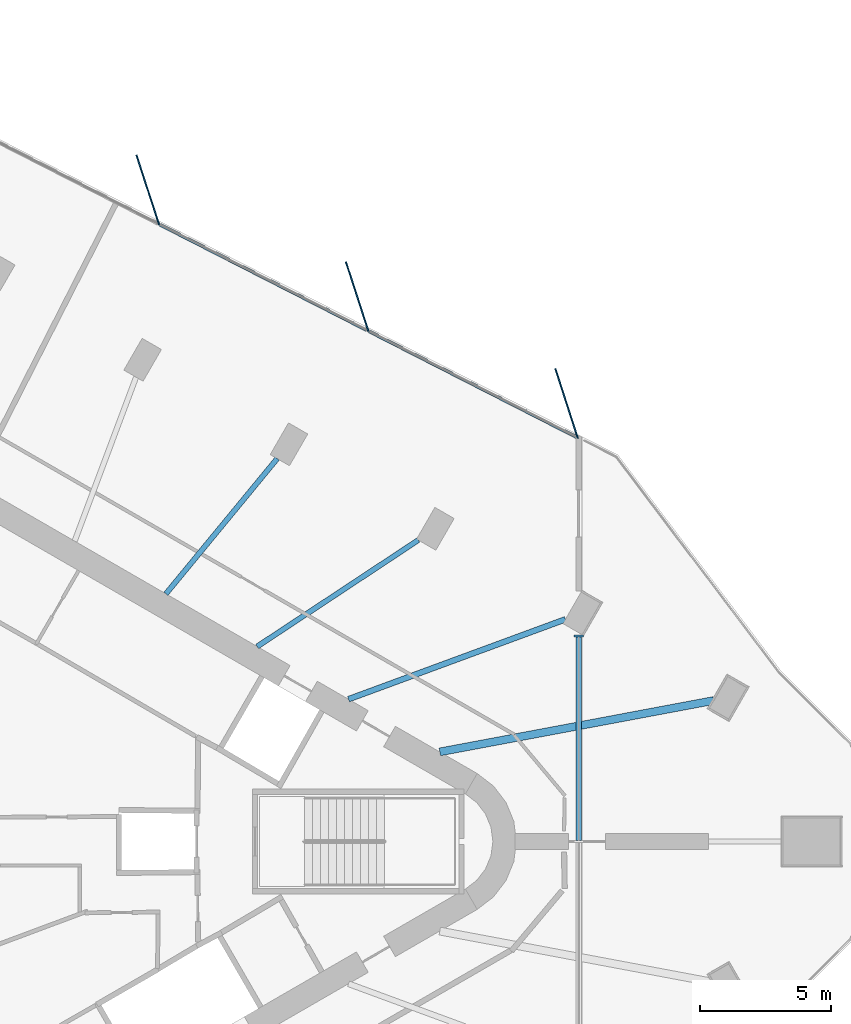
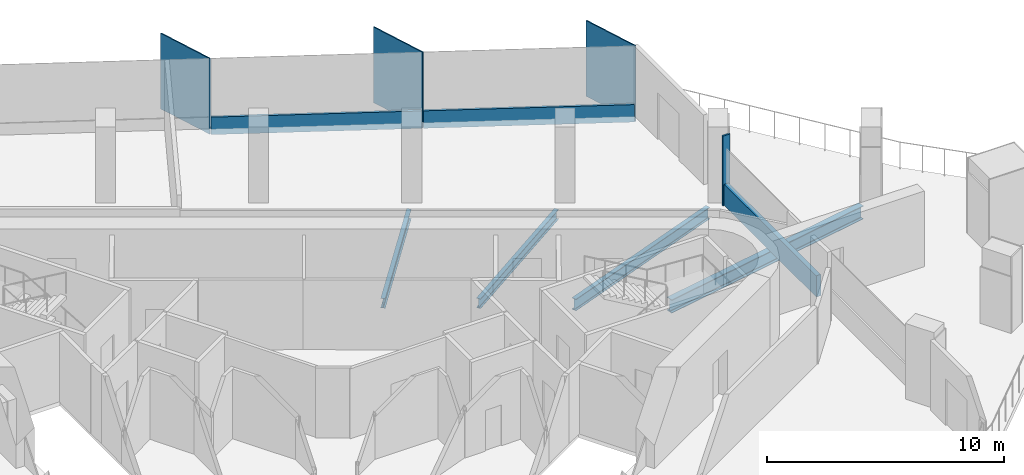
# One storey, part 5 of 12: 7 members, 4 beams, 2 elements without a shape of their own.
"""IFC4 building model written with IfcOpenShell, lengths in metres."""

import ifcopenshell
import ifcopenshell.guid

model = None  # the IFC model being written
_history = None  # IfcOwnerHistory: only IFC2X3 demands one
_inside = {}  # id of a spatial element -> (the spatial element, [elements in it])
_under = {}  # id of a project, library or spatial element -> (it, [spatial elements below it])
_declared = {}  # id of a project -> (the project, [libraries it declares])
_typed = {}  # id of a type object -> (the type object, [elements of that type])
_made_of = {}  # id of a material, layer set ... -> (it, [elements and type objects made of it])


def new_model(schema):
    """Start an empty IFC model of exactly this schema.

    Asked for "IFC4X3", IfcOpenShell would pick the latest addendum, in which some entities
    have other attributes; the version numbers below select the first issue.
    IFC2X3 requires an IfcOwnerHistory on every rooted entity: one is made here for all.
    """
    global model, _history
    if schema == "IFC4X3":
        model = ifcopenshell.file(schema_version=(4, 3, 0, 0))
    else:
        model = ifcopenshell.file(schema=schema)
    _inside.clear()
    _under.clear()
    _declared.clear()
    _typed.clear()
    _made_of.clear()
    _history = None
    if model.schema == "IFC2X3":
        org = make("IfcOrganization", Name="unknown")
        user = make(
            "IfcPersonAndOrganization",
            ThePerson=make("IfcPerson", FamilyName="unknown"),
            TheOrganization=org,
        )
        app = make(
            "IfcApplication",
            ApplicationDeveloper=org,
            Version="unknown",
            ApplicationFullName="unknown",
            ApplicationIdentifier="unknown",
        )
        _history = make(
            "IfcOwnerHistory",
            OwningUser=user,
            OwningApplication=app,
            ChangeAction="ADDED",
            CreationDate=0,
        )
    return model


def make(cls, **values):
    """One entity of the class cls with the attributes given. An attribute that is None is left unset."""
    return model.create_entity(
        cls, **{name: value for name, value in values.items() if value is not None}
    )


def rooted(cls, **values):
    """An entity with a GlobalId (a new one), such as an element, a storey or a relation."""
    return make(cls, GlobalId=ifcopenshell.guid.new(), OwnerHistory=_history, **values)


def si_unit(unit_type, name, prefix=None):
    """IfcSIUnit, for example si_unit("LENGTHUNIT", "METRE", prefix="MILLI")."""
    return make("IfcSIUnit", UnitType=unit_type, Prefix=prefix, Name=name)


def assignment(units):
    """IfcUnitAssignment: the units of a project."""
    return None if units is None else make("IfcUnitAssignment", Units=units)


def point(xyz):
    """IfcCartesianPoint."""
    return None if xyz is None else make("IfcCartesianPoint", Coordinates=xyz)


def direction(xyz):
    """IfcDirection."""
    return None if xyz is None else make("IfcDirection", DirectionRatios=xyz)


def frame(location, z_axis=None, x_axis=None):
    """IfcAxis2Placement3D, a coordinate frame: its origin and axes. An axis left out is left unset."""
    return make(
        "IfcAxis2Placement3D",
        Location=point(location),
        Axis=direction(z_axis),
        RefDirection=direction(x_axis),
    )


def frame_2d(location, x_axis=None):
    """IfcAxis2Placement2D, a coordinate frame in the plane: its origin and x axis."""
    return make(
        "IfcAxis2Placement2D", Location=point(location), RefDirection=direction(x_axis)
    )


def origin():
    """The frame at (0, 0, 0) with its axes left unset."""
    return frame((0.0, 0.0, 0.0))


def origin_2d():
    """The frame at (0, 0) in the plane with its x axis left unset."""
    return frame_2d((0.0, 0.0))


def place(relative_to, where):
    """IfcLocalPlacement: puts the frame where relative to a parent placement (None: the world)."""
    return make(
        "IfcLocalPlacement", PlacementRelTo=relative_to, RelativePlacement=where
    )


def context(
    kind, dimensions, precision=None, world=None, true_north=None, identifier=None
):
    """IfcGeometricRepresentationContext, for example the 3D "Model" context."""
    return make(
        "IfcGeometricRepresentationContext",
        ContextIdentifier=identifier,
        ContextType=kind,
        CoordinateSpaceDimension=dimensions,
        Precision=precision,
        WorldCoordinateSystem=world,
        TrueNorth=true_north,
    )


def subcontext(parent, identifier, kind, view, scale=None):
    """IfcGeometricRepresentationSubContext, for example "Body" below "Model"."""
    return make(
        "IfcGeometricRepresentationSubContext",
        ContextIdentifier=identifier,
        ContextType=kind,
        ParentContext=parent,
        TargetScale=scale,
        TargetView=view,
    )


def project(units=None, contexts=None):
    """IfcProject with its units and contexts."""
    return rooted(
        "IfcProject",
        Name="project",
        RepresentationContexts=contexts,
        UnitsInContext=assignment(units),
    )


def spatial(cls, under=None, at=None, **own):
    """A site, building, storey or space (cls), placed at a placement, below another one or the project."""
    s = rooted(cls, ObjectPlacement=at, **own)
    if under is not None:
        _under.setdefault(under.id(), (under, []))[1].append(s)
    return s


def profile(cls, at=None, kind="AREA", **sizes):
    """A parametric profile (cls). Its sizes go by their IFC names, for example OverallWidth=200.0."""
    return make(cls, ProfileType=kind, Position=at, **sizes)


def rectangle(**sizes):
    """IfcRectangleProfileDef."""
    return profile("IfcRectangleProfileDef", **sizes)


def i_section(**sizes):
    """IfcIShapeProfileDef."""
    return profile("IfcIShapeProfileDef", **sizes)


def extrude(swept, where, along, depth):
    """IfcExtrudedAreaSolid: the profile swept, set in the frame where, extruded along a direction by depth."""
    return make(
        "IfcExtrudedAreaSolid",
        SweptArea=swept,
        Position=where,
        ExtrudedDirection=direction(along),
        Depth=depth,
    )


def shape(context_of_items, identifier, shape_type, items):
    """IfcShapeRepresentation: the items that make up one representation, for example the "Body"."""
    return make(
        "IfcShapeRepresentation",
        ContextOfItems=context_of_items,
        RepresentationIdentifier=identifier,
        RepresentationType=shape_type,
        Items=items,
    )


def material(Name=None, Category=None):
    """IfcMaterial."""
    return make("IfcMaterial", Name=Name, Category=Category)


def material_profile(
    of_material, cross_section, Name=None, Category=None, Priority=None
):
    """IfcMaterialProfile: a cross section and its material."""
    return make(
        "IfcMaterialProfile",
        Name=Name,
        Material=of_material,
        Profile=cross_section,
        Priority=Priority,
        Category=Category,
    )


def profile_set(profiles, Name=None, composite=None):
    """IfcMaterialProfileSet."""
    return make(
        "IfcMaterialProfileSet",
        Name=Name,
        MaterialProfiles=profiles,
        CompositeProfile=composite,
    )


def made_of(thing, what):
    """Note that an element or type object is made of a material, layer set ...; save() writes the relation."""
    if what is not None:
        _made_of.setdefault(what.id(), (what, []))[1].append(thing)
    return thing


def type_object(cls, material=None, **own):
    """A type object (cls), such as IfcWallType, which elements share."""
    return made_of(rooted(cls, **own), material)


def element(
    cls,
    number,
    at=None,
    inside=None,
    cuts=None,
    type_object=None,
    material=None,
    context=None,
    identifier="Body",
    shape_type=None,
    held_by="IfcProductDefinitionShape",
    body=None,
    shapes=None,
    **own,
):
    """One element of the class cls, such as IfcWall. Its Tag is "e" and its number.

    at: its placement. inside: the storey or other place that contains it. cuts: it is an
    opening in that element (IfcRelVoidsElement). A single representation is given by context,
    identifier, shape_type and body (its items); several are given by shapes. held_by: the class
    of the entity that holds the representations. save() writes the other relations.
    """
    e = rooted(cls, Tag="e%d" % number, ObjectPlacement=at, **own)
    if body is not None:
        shapes = [shape(context, identifier, shape_type, body)]
    if shapes is not None:
        e.Representation = make(held_by, Representations=shapes)
    if inside is not None:
        _inside.setdefault(inside.id(), (inside, []))[1].append(e)
    if cuts is not None:
        rooted(
            "IfcRelVoidsElement", RelatingBuildingElement=cuts, RelatedOpeningElement=e
        )
    if type_object is not None:
        _typed.setdefault(type_object.id(), (type_object, []))[1].append(e)
    return made_of(e, material)


def aggregate(whole, parts):
    """IfcRelAggregates: a whole, such as a stair, and the parts it consists of."""
    return rooted("IfcRelAggregates", RelatingObject=whole, RelatedObjects=parts)


def save(model, path):
    """Write the relations noted so far, then the file.

    IfcRelAggregates (storeys below a building ...), IfcRelContainedInSpatialStructure (elements
    in a storey), IfcRelDefinesByType, IfcRelAssociatesMaterial and IfcRelDeclares: one each for
    every whole, place, type object, material and project.
    """
    for whole, parts in _under.values():
        aggregate(whole, parts)
    for where, things in _inside.values():
        rooted(
            "IfcRelContainedInSpatialStructure",
            RelatedElements=things,
            RelatingStructure=where,
        )
    for kind, things in _typed.values():
        rooted("IfcRelDefinesByType", RelatedObjects=things, RelatingType=kind)
    for what, things in _made_of.values():
        rooted("IfcRelAssociatesMaterial", RelatedObjects=things, RelatingMaterial=what)
    for by, libraries in _declared.values():
        rooted("IfcRelDeclares", RelatingContext=by, RelatedDefinitions=libraries)
    model.write(path)


model = new_model("IFC4")

# Units and contexts
model_context = context("Model", 3, precision=1e-05, world=origin(), true_north=direction((0.0, 1.0)))
body_context = subcontext(model_context, "Body", "Model", "MODEL_VIEW")
ifc_project = project(units=[si_unit("LENGTHUNIT", "METRE"), si_unit("AREAUNIT", "SQUARE_METRE"), si_unit("VOLUMEUNIT", "CUBIC_METRE"), si_unit("PLANEANGLEUNIT", "RADIAN"), si_unit("MASSUNIT", "GRAM", prefix="KILO")], contexts=[model_context])

# Site, building, storey
site_placement = place(None, origin())
site = spatial("IfcSite", under=ifc_project, at=site_placement, CompositionType="ELEMENT")
building_placement = place(site_placement, origin())
building = spatial("IfcBuilding", under=site, at=building_placement, Name="Tanit Gate Tower", CompositionType="ELEMENT")
storey_placement = place(building_placement, frame((0.0, 0.0, 361.10009765625)))
storey = spatial("IfcBuildingStorey", under=building, at=storey_placement, Name="L82", CompositionType="ELEMENT", Elevation=361.10009765625)

# Curtain wall, members
ifc_material_1 = material(Name="Aluminium bronze anodised and glass", Category="aluminium")
curtain_wall_type_1 = type_object("IfcCurtainWallType", Name="Curtain wall typical high", PredefinedType="NOTDEFINED", material=ifc_material_1)
curtain_wall_1_placement = place(storey_placement, origin())
curtain_wall_1 = element("IfcCurtainWall", 1, at=curtain_wall_1_placement, inside=storey, type_object=curtain_wall_type_1, Name="Curtain wall L82 NE2c", PredefinedType="NOTDEFINED")
ifc_material_2 = material(Name="Aluminium bronze anodised", Category="aluminium")
ifc_material_profile_1 = material_profile(ifc_material_2, rectangle(XDim=2.800048828125, YDim=0.055908203125, at=origin_2d()), Name="56x2800 bronze fin mullion")
ifc_profile_set_1 = profile_set([ifc_material_profile_1], Name="Aluminium bronze anodised")
member_type_1 = type_object("IfcMemberType", Name="FIN MULLION 56x2800 bronze", PredefinedType="MULLION", material=ifc_profile_set_1)
member_1_placement = place(storey_placement, frame((23.118896484375, 16.752685546875, -0.300048828125), z_axis=(0.0, 0.0, 1.0), x_axis=(0.308568289465, -0.951202192353, 0.0)))
member_1 = element("IfcMember", 2, at=member_1_placement, type_object=member_type_1, Name="Fin mullion L82 NE2c.1", PredefinedType="MULLION", context=body_context, shape_type="SweptSolid", body=[
    extrude(rectangle(XDim=2.800048828125, YDim=0.055908203125, at=origin_2d()), origin(), (0.0, 0.0, 1.0), 3.89990234375),
])
member_2_placement = place(storey_placement, frame((15.109375, 20.838623046875, -0.300048828125), z_axis=(0.0, 0.0, 1.0), x_axis=(0.308568289465, -0.951202192353, 0.0)))
member_2 = element("IfcMember", 3, at=member_2_placement, type_object=member_type_1, Name="Fin mullion L82 NE2c.2", PredefinedType="MULLION", context=body_context, shape_type="SweptSolid", body=[
    extrude(rectangle(XDim=2.800048828125, YDim=0.055908203125, at=origin_2d()), origin(), (0.0, 0.0, 1.0), 3.89990234375),
])
member_3_placement = place(storey_placement, frame((7.099853515625, 24.92431640625, -0.300048828125), z_axis=(0.0, 0.0, 1.0), x_axis=(0.308568289465, -0.951202192353, 0.0)))
member_3 = element("IfcMember", 4, at=member_3_placement, type_object=member_type_1, Name="Fin mullion L82 NE2c.3", PredefinedType="MULLION", context=body_context, shape_type="SweptSolid", body=[
    extrude(rectangle(XDim=2.800048828125, YDim=0.055908203125, at=origin_2d()), origin(), (0.0, 0.0, 1.0), 3.89990234375),
])

# Curtain wall, member
ifc_material_3 = material(Name="Aluminium bronze anodised and glass", Category="aluminium")
curtain_wall_type_2 = type_object("IfcCurtainWallType", Name="Curtain wall portal glazing", PredefinedType="NOTDEFINED", material=ifc_material_3)
curtain_wall_2_placement = place(storey_placement, origin())
curtain_wall_2 = element("IfcCurtainWall", 5, at=curtain_wall_2_placement, inside=storey, type_object=curtain_wall_type_2, Name="Curtain wall L82 NOTCH2", PredefinedType="NOTDEFINED")
ifc_material_4 = material(Name="Aluminium bronze anodised", Category="aluminium")
ifc_material_profile_2 = material_profile(ifc_material_4, rectangle(XDim=0.360107421875, YDim=0.080078125, at=origin_2d()), Name="80x360 bronze mullion")
ifc_profile_set_2 = profile_set([ifc_material_profile_2], Name="Aluminium bronze anodised")
member_type_2 = type_object("IfcMemberType", Name="Mullion 80x360 portal glazing", PredefinedType="MULLION", material=ifc_profile_set_2)
member_4_placement = place(storey_placement, frame((23.580078125, 7.853271484375, 0.0), z_axis=(0.0, 0.0, 1.0), x_axis=(1.0, 0.0, 0.0)))
member_4 = element("IfcMember", 6, at=member_4_placement, type_object=member_type_2, Name="Mullion L82 NOTCH2.1", PredefinedType="MULLION", context=body_context, shape_type="SweptSolid", body=[
    extrude(rectangle(XDim=0.360107421875, YDim=0.080078125, at=origin_2d()), origin(), (0.0, 0.0, 1.0), 3.599853515625),
])

# Beams
ifc_material_5 = material(Name="Steel S355", Category="steel")
ifc_material_profile_3 = material_profile(ifc_material_5, i_section(OverallWidth=0.300048828125, OverallDepth=0.68994140625, WebThickness=0.014404296875, FlangeThickness=0.027099609375, FilletRadius=0.027099609375, at=origin_2d()), Name="HEA 700")
ifc_profile_set_3 = profile_set([ifc_material_profile_3], Name="Steel S355")
beam_type_1 = type_object("IfcBeamType", Name="RADIAL GIRDER HEA 700 S355", PredefinedType="BEAM", material=ifc_profile_set_3)
beam_1_placement = place(storey_placement, frame((28.745361328125, 5.390869140625, -0.64501953125), z_axis=(-0.982865703548, -0.184323109754, 0.0), x_axis=(0.184323109754, -0.982865703548, 0.0)))
element("IfcBeam", 7, at=beam_1_placement, inside=storey, type_object=beam_type_1, Name="RADIAL GIRDER", PredefinedType="BEAM", context=body_context, shape_type="SweptSolid", body=[
    extrude(i_section(OverallWidth=0.300048828125, OverallDepth=0.68994140625, WebThickness=0.014404296875, FlangeThickness=0.027099609375, FilletRadius=0.027099609375, at=origin_2d()), origin(), (0.0, 0.0, 1.0), 10.658447265625),
])
ifc_material_6 = material(Name="Steel S355", Category="steel")
ifc_material_profile_4 = material_profile(ifc_material_6, i_section(OverallWidth=0.199951171875, OverallDepth=0.5, WebThickness=0.01025390625, FlangeThickness=0.01611328125, FilletRadius=0.02099609375, at=origin_2d()), Name="IPE 500")
ifc_profile_set_4 = profile_set([ifc_material_profile_4], Name="Steel S355")
beam_type_2 = type_object("IfcBeamType", Name="RADIAL GIRDER IPE 500 S355", PredefinedType="BEAM", material=ifc_profile_set_4)
beam_2_placement = place(storey_placement, frame((17.447021484375, 11.526611328125, -0.550048828125), z_axis=(-0.834352975329, -0.551230543929, 0.0), x_axis=(0.551230543929, -0.834352975329, 0.0)))
element("IfcBeam", 8, at=beam_2_placement, inside=storey, type_object=beam_type_2, Name="RADIAL GIRDER", PredefinedType="BEAM", context=body_context, shape_type="SweptSolid", body=[
    extrude(i_section(OverallWidth=0.199951171875, OverallDepth=0.5, WebThickness=0.01025390625, FlangeThickness=0.01611328125, FilletRadius=0.02099609375, at=origin_2d()), origin(), (0.0, 0.0, 1.0), 7.38232421875),
])
beam_3_placement = place(storey_placement, frame((12.05078125, 14.64208984375, -0.550048828125), z_axis=(-0.63547714301, -0.772119680303, 0.0), x_axis=(0.772119680303, -0.63547714301, 0.0)))
element("IfcBeam", 9, at=beam_3_placement, inside=storey, type_object=beam_type_2, Name="RADIAL GIRDER", PredefinedType="BEAM", context=body_context, shape_type="SweptSolid", body=[
    extrude(i_section(OverallWidth=0.199951171875, OverallDepth=0.5, WebThickness=0.01025390625, FlangeThickness=0.01611328125, FilletRadius=0.02099609375, at=origin_2d()), origin(), (0.0, 0.0, 1.0), 6.69482421875),
])
ifc_material_7 = material(Name="Steel S355", Category="steel")
ifc_material_profile_5 = material_profile(ifc_material_7, i_section(OverallWidth=0.219970703125, OverallDepth=0.60009765625, WebThickness=0.011962890625, FlangeThickness=0.01904296875, FilletRadius=0.02392578125, at=origin_2d()), Name="IPE 600")
ifc_profile_set_5 = profile_set([ifc_material_profile_5], Name="Steel S355")
beam_type_3 = type_object("IfcBeamType", Name="RADIAL GIRDER IPE 600 S355", PredefinedType="BEAM", material=ifc_profile_set_5)
beam_4_placement = place(storey_placement, frame((23.074462890625, 8.49658203125, -0.60009765625), z_axis=(-0.938405339551, -0.345536421673, 0.0), x_axis=(0.345536421673, -0.938405339551, 0.0)))
element("IfcBeam", 10, at=beam_4_placement, inside=storey, type_object=beam_type_3, Name="RADIAL GIRDER", PredefinedType="BEAM", context=body_context, shape_type="SweptSolid", body=[
    extrude(i_section(OverallWidth=0.219970703125, OverallDepth=0.60009765625, WebThickness=0.011962890625, FlangeThickness=0.01904296875, FilletRadius=0.02392578125, at=origin_2d()), origin(), (0.0, 0.0, 1.0), 8.84033203125),
])

# Member
ifc_material_8 = material(Name="Aluminium bronze anodised", Category="aluminium")
ifc_material_profile_6 = material_profile(ifc_material_8, rectangle(XDim=0.1201171875, YDim=0.89990234375, at=origin_2d()), Name="120x900 bronze transom")
ifc_profile_set_6 = profile_set([ifc_material_profile_6], Name="Aluminium bronze anodised")
member_type_3 = type_object("IfcMemberType", Name="Transom 120x900 typical high", PredefinedType="USERDEFINED", material=ifc_profile_set_6)
member_5_placement = place(storey_placement, frame((23.50927734375, 15.4580078125, 0.14990234375), z_axis=(-0.890787218402, 0.454420654825, 0.0), x_axis=(-0.454420654825, -0.890787218402, 0.0)))
member_5 = element("IfcMember", 11, at=member_5_placement, type_object=member_type_3, Name="Transom L82 NE2c.1", ObjectType="TRANSOM", PredefinedType="USERDEFINED", context=body_context, shape_type="SweptSolid", body=[
    extrude(rectangle(XDim=0.1201171875, YDim=0.89990234375, at=origin_2d()), origin(), (0.0, 0.0, 1.0), 8.911376953125),
])

member_6_placement = place(storey_placement, frame((15.499755859375, 19.5439453125, 0.14990234375), z_axis=(-0.890803964622, 0.454387826216, 0.0), x_axis=(-0.454387826216, -0.890803964622, 0.0)))
member_6 = element("IfcMember", 12, at=member_6_placement, type_object=member_type_3, Name="Transom L82 NE2c.2", ObjectType="TRANSOM", PredefinedType="USERDEFINED", context=body_context, shape_type="SweptSolid", body=[
    extrude(rectangle(XDim=0.1201171875, YDim=0.89990234375, at=origin_2d()), origin(), (0.0, 0.0, 1.0), 8.91162109375),
])

aggregate(curtain_wall_1, [member_1, member_2, member_3, member_5, member_6])

ifc_material_9 = material(Name="Aluminium bronze anodised", Category="aluminium")
ifc_material_profile_7 = material_profile(ifc_material_9, rectangle(XDim=0.219970703125, YDim=1.10009765625, at=origin_2d()), Name="220x1100 bronze transom")
ifc_profile_set_7 = profile_set([ifc_material_profile_7], Name="Aluminium bronze anodised")
member_type_4 = type_object("IfcMemberType", Name="Transom 220x1100 portal glazing", PredefinedType="USERDEFINED", material=ifc_profile_set_7)
member_7_placement = place(storey_placement, frame((23.580078125, 7.8134765625, 0.5498046875), z_axis=(0.0, -1.0, 0.0), x_axis=(1.0, 0.0, 0.0)))
member_7 = element("IfcMember", 13, at=member_7_placement, type_object=member_type_4, Name="Transom L82 NOTCH2.1", ObjectType="TRANSOM", PredefinedType="USERDEFINED", context=body_context, shape_type="SweptSolid", body=[
    extrude(rectangle(XDim=0.219970703125, YDim=1.10009765625, at=origin_2d()), origin(), (0.0, 0.0, 1.0), 7.7734375),
])

aggregate(curtain_wall_2, [member_4, member_7])

save(model, "model.ifc")
